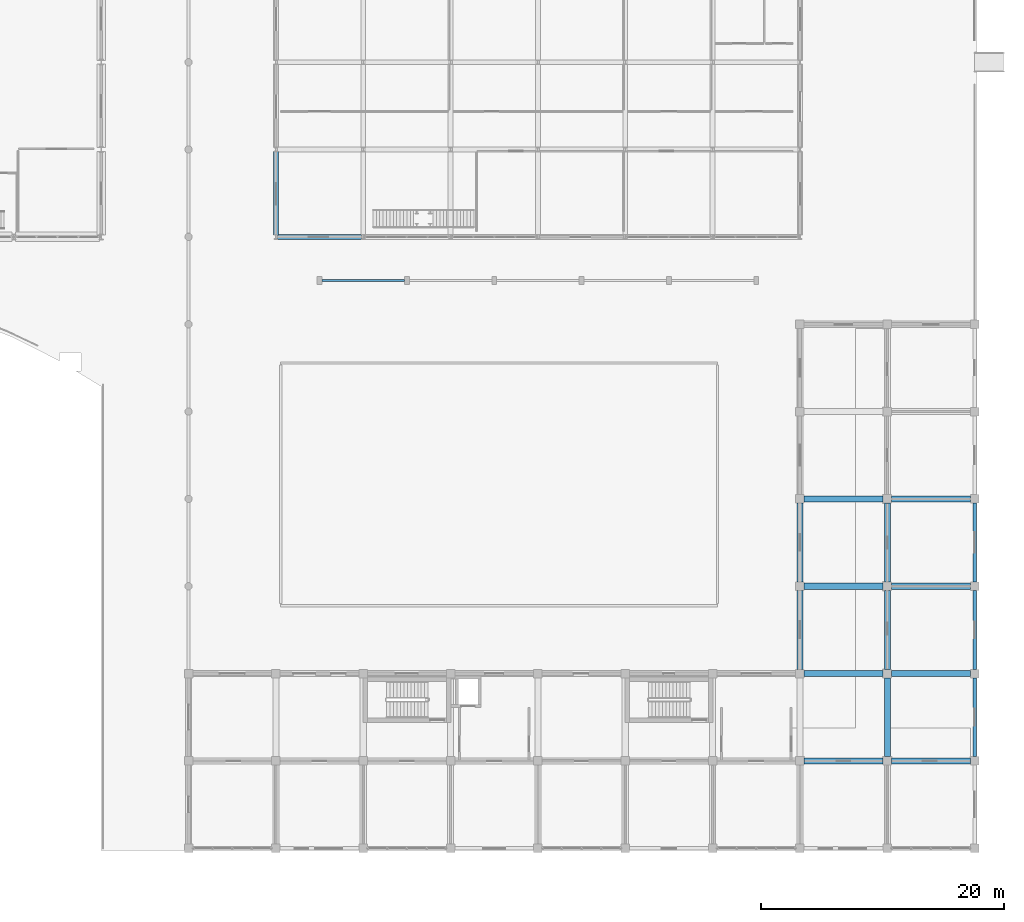
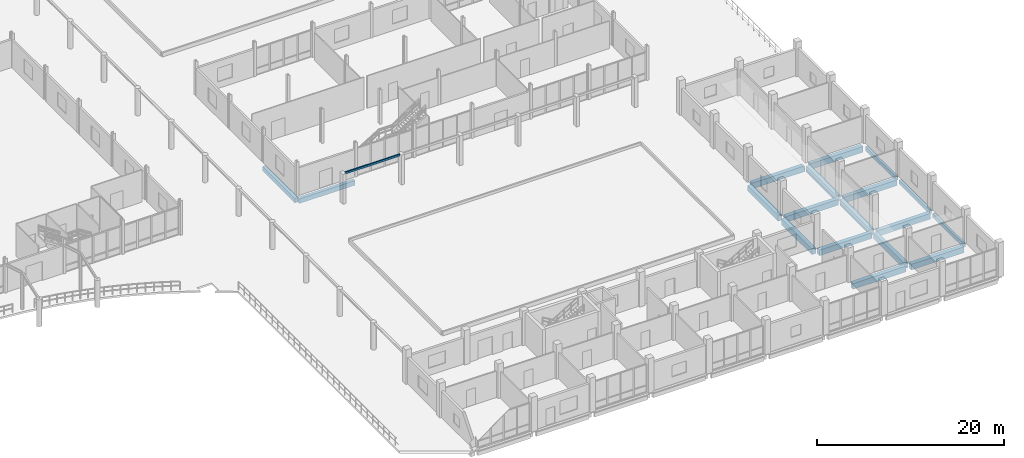
# One storey, part 76 of 139: 19 beams.
"""IFC4 building model written with IfcOpenShell, lengths in metres."""

from ifc_helpers import new_model, si_unit, direction, frame, origin, origin_2d, place, context, subcontext, project, spatial, rectangle, hollow_rectangle, extrude, material, material_profile, profile_set, type_object, element, save


model = new_model("IFC4")

# Units and contexts
model_context = context("Model", 3, precision=1e-05, world=origin(), true_north=direction((0.0, 1.0)))
body_context = subcontext(model_context, "Body", "Model", "MODEL_VIEW")
ifc_project = project(units=[si_unit("LENGTHUNIT", "METRE"), si_unit("AREAUNIT", "SQUARE_METRE"), si_unit("VOLUMEUNIT", "CUBIC_METRE"), si_unit("PLANEANGLEUNIT", "RADIAN"), si_unit("MASSUNIT", "GRAM", prefix="KILO")], contexts=[model_context])

# Site, building, storey
site_placement = place(None, origin())
site = spatial("IfcSite", under=ifc_project, at=site_placement, CompositionType="ELEMENT")
building_placement = place(site_placement, origin())
building = spatial("IfcBuilding", under=site, at=building_placement, Name="Suanplinth Sawtooth Commons", CompositionType="ELEMENT")
storey_placement = place(building_placement, origin())
storey = spatial("IfcBuildingStorey", under=building, at=storey_placement, Name="L00", CompositionType="ELEMENT", Elevation=0.0)

# Beams
ifc_material_1 = material(Name="Concrete C40/50", Category="concrete")
ifc_material_profile_1 = material_profile(ifc_material_1, rectangle(XDim=0.5, YDim=0.75, at=origin_2d()), Name="RC-GDR 500x750")
ifc_profile_set_1 = profile_set([ifc_material_profile_1], Name="Concrete C40/50")
beam_type_1 = type_object("IfcBeamType", Name="B-03", PredefinedType="USERDEFINED", material=ifc_profile_set_1)
for number, where, z_axis, x_axis, name in (
    (1, (173.14990234375, 7.199951171875, -0.794921875), (1.0, 0.0, 0.0), (0.0, 1.0, 0.0), "BMX-L00-C-24-1"),
    (2, (173.14990234375, 14.39990234375, -0.794921875), (1.0, 0.0, 0.0), (0.0, 1.0, 0.0), "BMX-L00-C-24-2"),
    (3, (173.14990234375, 21.60009765625, -0.794921875), (1.0, 0.0, 0.0), (0.0, 1.0, 0.0), "BMX-L00-C-24-3"),
    (4, (173.14990234375, 28.800048828125, -0.794921875), (1.0, 0.0, 0.0), (0.0, 1.0, 0.0), "BMX-L00-C-24-4"),
    (5, (180.35009765625, 7.199951171875, -0.794921875), (1.0, 0.0, 0.0), (0.0, 1.0, 0.0), "BMX-L00-C-25-1"),
    (6, (180.35009765625, 14.39990234375, -0.794921875), (1.0, 0.0, 0.0), (0.0, 1.0, 0.0), "BMX-L00-C-25-2"),
    (7, (180.35009765625, 21.60009765625, -0.794921875), (1.0, 0.0, 0.0), (0.0, 1.0, 0.0), "BMX-L00-C-25-3"),
    (8, (180.35009765625, 28.800048828125, -0.794921875), (1.0, 0.0, 0.0), (0.0, 1.0, 0.0), "BMX-L00-C-25-4"),
    (9, (172.800048828125, 14.75, -0.794921875), (0.0, 1.0, 0.0), (-1.0, 0.0, 0.0), "BMY-L00-C-24-2"),
    (10, (172.800048828125, 21.949951171875, -0.794921875), (0.0, 1.0, 0.0), (-1.0, 0.0, 0.0), "BMY-L00-C-24-3"),
    (11, (180.0, 7.550048828125, -0.794921875), (0.0, 1.0, 0.0), (-1.0, 0.0, 0.0), "BMY-L00-C-25-1"),
    (12, (180.0, 14.75, -0.794921875), (0.0, 1.0, 0.0), (-1.0, 0.0, 0.0), "BMY-L00-C-25-2"),
    (13, (180.0, 21.949951171875, -0.794921875), (0.0, 1.0, 0.0), (-1.0, 0.0, 0.0), "BMY-L00-C-25-3"),
):
    element("IfcBeam", number, at=place(storey_placement, frame(where, z_axis=z_axis, x_axis=x_axis)), inside=storey, type_object=beam_type_1, Name=name, ObjectType="GIRDER", PredefinedType="USERDEFINED", context=body_context, shape_type="SweptSolid", body=[
        extrude(rectangle(XDim=0.5, YDim=0.75, at=origin_2d()), origin(), (0.0, 0.0, 1.0), 6.5),
    ])
ifc_material_2 = material(Name="Precast concrete C40/50", Category="concrete")
ifc_material_profile_2 = material_profile(ifc_material_2, rectangle(XDim=0.39990234375, YDim=0.60009765625, at=origin_2d()), Name="PC-GDR 400x600")
ifc_profile_set_2 = profile_set([ifc_material_profile_2], Name="Precast concrete C40/50")
beam_type_2 = type_object("IfcBeamType", Name="B-05", PredefinedType="USERDEFINED", material=ifc_profile_set_2)
for number, where, z_axis, x_axis, name in (
    (14, (129.75, 50.39990234375, -0.719970703125), (1.0, 0.0, 0.0), (0.0, 1.0, 0.0), "BMX-L00-NURS-18-7"),
    (15, (129.60009765625, 50.550048828125, -0.719970703125), (0.0, 1.0, 0.0), (-1.0, 0.0, 0.0), "BMY-L00-NURS-18-7"),
):
    element("IfcBeam", number, at=place(storey_placement, frame(where, z_axis=z_axis, x_axis=x_axis)), inside=storey, type_object=beam_type_2, Name=name, ObjectType="GIRDER", PredefinedType="USERDEFINED", context=body_context, shape_type="SweptSolid", body=[
        extrude(rectangle(XDim=0.39990234375, YDim=0.60009765625, at=origin_2d()), origin(), (0.0, 0.0, 1.0), 6.89990234375),
    ])
ifc_material_profile_3 = material_profile(ifc_material_2, rectangle(XDim=0.280029296875, YDim=0.52001953125, at=origin_2d()), Name="PC-SP 280x520")
ifc_profile_set_3 = profile_set([ifc_material_profile_3], Name="Precast concrete C40/50")
beam_type_3 = type_object("IfcBeamType", Name="B-08", PredefinedType="SPANDREL", material=ifc_profile_set_3)
for number, where, z_axis, x_axis, name in (
    (16, (187.199951171875, 7.550048828125, -0.679931640625), (0.0, 1.0, 0.0), (-1.0, 0.0, 0.0), "BMY-L00-C-26-1"),
    (17, (187.199951171875, 14.75, -0.679931640625), (0.0, 1.0, 0.0), (-1.0, 0.0, 0.0), "BMY-L00-C-26-2"),
    (18, (187.199951171875, 21.949951171875, -0.679931640625), (0.0, 1.0, 0.0), (-1.0, 0.0, 0.0), "BMY-L00-C-26-3"),
):
    element("IfcBeam", number, at=place(storey_placement, frame(where, z_axis=z_axis, x_axis=x_axis)), inside=storey, type_object=beam_type_3, Name=name, PredefinedType="SPANDREL", context=body_context, shape_type="SweptSolid", body=[
        extrude(rectangle(XDim=0.280029296875, YDim=0.52001953125, at=origin_2d()), origin(), (0.0, 0.0, 1.0), 6.5),
    ])
ifc_material_3 = material(Name="Steel S355JR", Category="steel")
ifc_material_profile_4 = material_profile(ifc_material_3, hollow_rectangle(XDim=0.14990234375, YDim=0.25, WallThickness=0.010009765625, at=origin_2d()), Name="RHS 250x150x10")
ifc_profile_set_4 = profile_set([ifc_material_profile_4], Name="Steel S355JR")
beam_type_4 = type_object("IfcBeamType", Name="B-18", PredefinedType="BEAM", material=ifc_profile_set_4)
beam_placement = place(storey_placement, frame((133.39990234375, 46.800048828125, 3.77490234375), z_axis=(1.0, 0.0, 0.0), x_axis=(0.0, 1.0, 0.0)))
element("IfcBeam", 19, at=beam_placement, inside=storey, type_object=beam_type_4, Name="Nursery Veranda Edge Beam 1", PredefinedType="BEAM", context=body_context, shape_type="SweptSolid", body=[
    extrude(hollow_rectangle(XDim=0.14990234375, YDim=0.25, WallThickness=0.010009765625, at=origin_2d()), origin(), (0.0, 0.0, 1.0), 6.800048828125),
])

save(model, "model.ifc")
